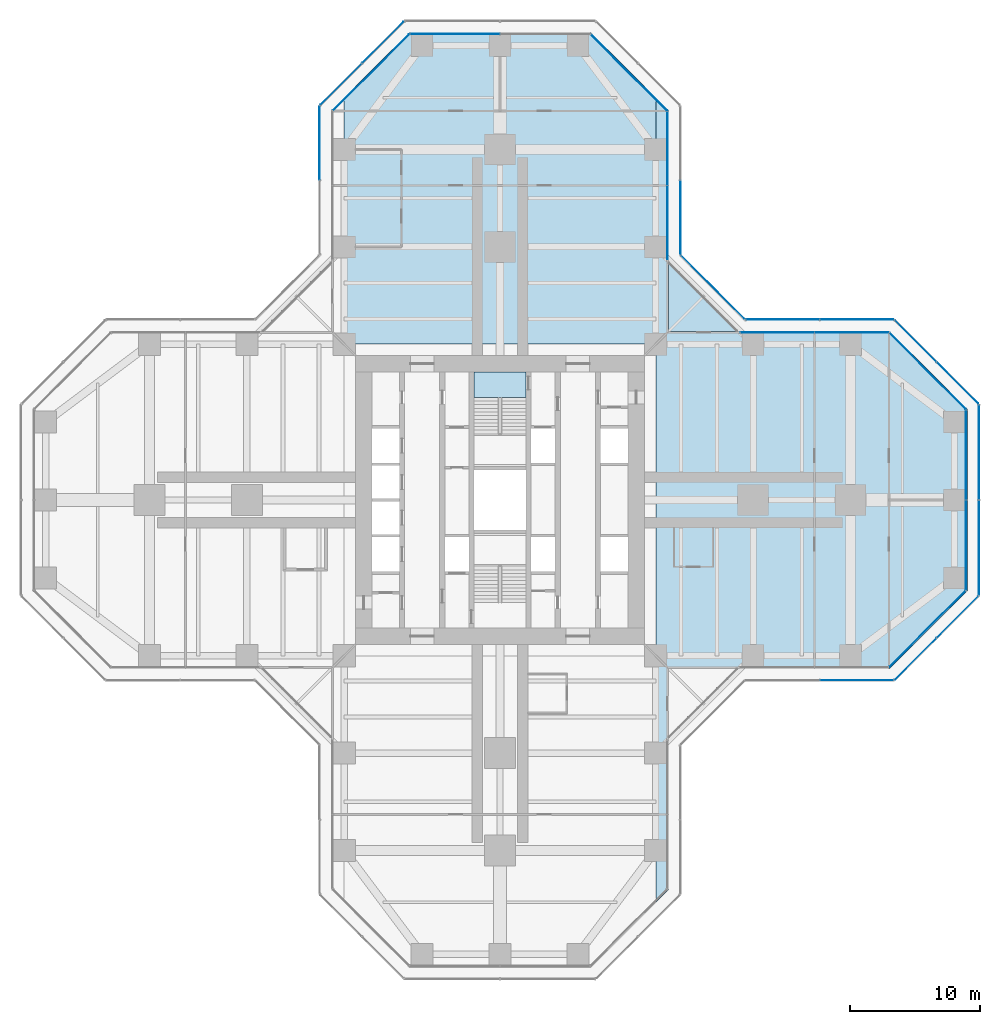
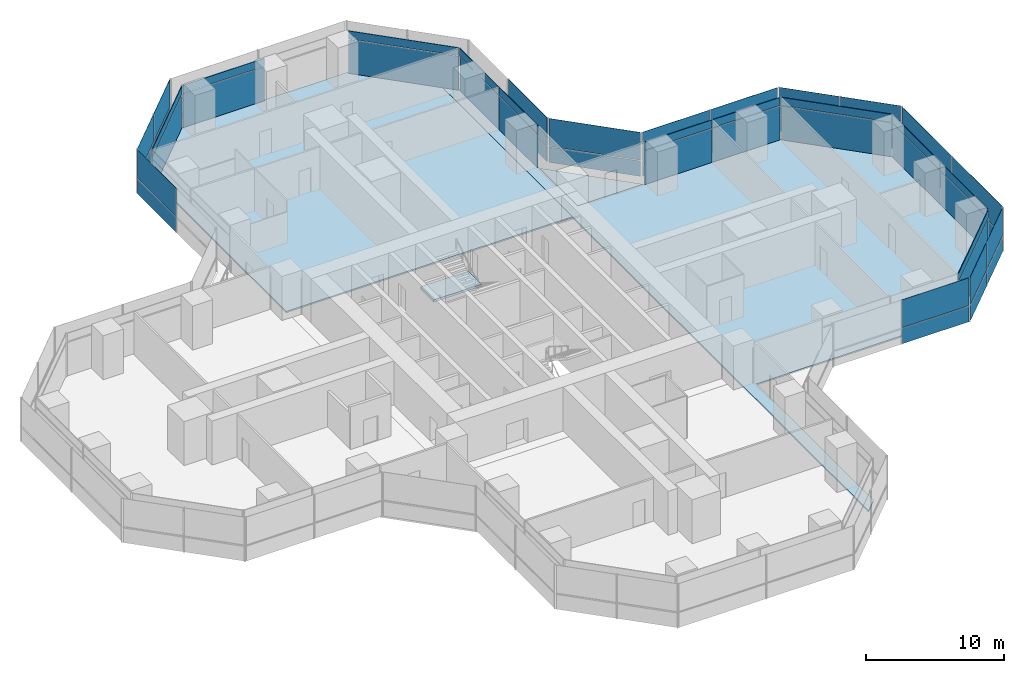
# One storey, part 16 of 22: 50 plates, 4 slabs, 18 elements without a shape of their own.
"""IFC4 building model written with IfcOpenShell, lengths in metres."""

from ifc_helpers import new_model, si_unit, direction, frame, origin, origin_2d, place, context, subcontext, project, spatial, polyline, rectangle, outline, extrude, material, layer, layer_set, type_object, element, aggregate, save


model = new_model("IFC4")

# Units and contexts
model_context = context("Model", 3, precision=1e-05, world=origin(), true_north=direction((0.0, 1.0)))
body_context = subcontext(model_context, "Body", "Model", "MODEL_VIEW")
ifc_project = project(units=[si_unit("LENGTHUNIT", "METRE"), si_unit("AREAUNIT", "SQUARE_METRE"), si_unit("VOLUMEUNIT", "CUBIC_METRE"), si_unit("PLANEANGLEUNIT", "RADIAN"), si_unit("MASSUNIT", "GRAM", prefix="KILO")], contexts=[model_context])

# Site, building, storey
site_placement = place(None, origin())
site = spatial("IfcSite", under=ifc_project, at=site_placement, CompositionType="ELEMENT")
building_placement = place(site_placement, origin())
building = spatial("IfcBuilding", under=site, at=building_placement, Name="Mizan Broadcast Tower", CompositionType="ELEMENT")
storey_placement = place(building_placement, frame((0.0, 0.0, 102.0)))
storey = spatial("IfcBuildingStorey", under=building, at=storey_placement, Name="L22", CompositionType="ELEMENT", Elevation=102.0)

# Slabs
ifc_material_1 = material(Name="Concrete C32/40", Category="concrete")
ifc_layer_1 = layer(ifc_material_1, 0.1298828125)
ifc_layer_set_1 = layer_set([ifc_layer_1], Name="Concrete C32/40")
slab_type_1 = type_object("IfcSlabType", Name="COMPOSITE DECK SLAB 130", PredefinedType="FLOOR", material=ifc_layer_set_1)
slab_1_placement = place(storey_placement, frame((0.0, 0.0, -0.1298828125)))
element("IfcSlab", 1, at=slab_1_placement, inside=storey, type_object=slab_type_1, Name="Floor slab L22 east arm", PredefinedType="FLOOR", context=body_context, shape_type="SweptSolid", body=[
    extrude(outline(polyline([(12.0, -31.0), (13.0, -30.0), (13.0, -13.0), (30.0, -13.0), (36.0, -7.0), (36.0, 7.0), (30.0, 13.0), (13.0, 13.0), (13.0, 30.0), (12.0, 31.0), (12.0, -31.0)])), origin(), (0.0, 0.0, 1.0), 0.1298828125),
])
slab_2_placement = place(storey_placement, frame((0.0, 0.0, -0.1298828125)))
element("IfcSlab", 2, at=slab_2_placement, inside=storey, type_object=slab_type_1, Name="Floor slab L22 north arm", PredefinedType="FLOOR", context=body_context, shape_type="SweptSolid", body=[
    extrude(outline(polyline([(-7.0, 36.0), (-12.0, 31.0), (-12.0, 12.0), (12.0, 12.0), (12.0, 31.0), (7.0, 36.0), (-7.0, 36.0)])), origin(), (0.0, 0.0, 1.0), 0.1298828125),
])

# Curtain wall, plate
ifc_material_2 = material(Name="Aluminium framed glazing", Category="aluminium")
curtain_wall_type_1 = type_object("IfcCurtainWallType", Name="INNER SKIN LOW ZONE", PredefinedType="USERDEFINED", material=ifc_material_2)
curtain_wall_1_placement = place(storey_placement, origin())
curtain_wall_1 = element("IfcCurtainWall", 3, at=curtain_wall_1_placement, inside=storey, type_object=curtain_wall_type_1, Name="Inner skin low zone L22 E chamfer", ObjectType="INNER SKIN LOW ZONE", PredefinedType="USERDEFINED")
ifc_material_3 = material(Name="Double glazing, clear low-e", Category="glass")
ifc_layer_2 = layer(ifc_material_3, 0.028076171875)
ifc_layer_set_2 = layer_set([ifc_layer_2], Name="Double glazing, clear low-e")
plate_type_1 = type_object("IfcPlateType", Name="INNER SKIN GLAZING UNIT", PredefinedType="CURTAIN_PANEL", material=ifc_layer_set_2)
plate_1_placement = place(storey_placement, frame((32.92919921875, -9.92919921875, 0.0), z_axis=(0.0, 0.0, 1.0), x_axis=(0.707106781187, 0.707106781187, 0.0)))
plate_1 = element("IfcPlate", 4, at=plate_1_placement, type_object=plate_type_1, Name="Inner skin low zone L22 E chamfer panel 1.1", PredefinedType="CURTAIN_PANEL", context=body_context, shape_type="SweptSolid", body=[
    extrude(rectangle(XDim=8.282470703125, YDim=0.028076171875, at=origin_2d()), origin(), (0.0, 0.0, 1.0), 3.0),
])

# Curtain wall, plates
curtain_wall_2_placement = place(storey_placement, origin())
curtain_wall_2 = element("IfcCurtainWall", 5, at=curtain_wall_2_placement, inside=storey, type_object=curtain_wall_type_1, Name="Inner skin low zone L22 E end", ObjectType="INNER SKIN LOW ZONE", PredefinedType="USERDEFINED")
plate_2_placement = place(storey_placement, frame((35.89990234375, -3.46435546875, 0.0), z_axis=(0.0, 0.0, 1.0), x_axis=(0.0, 1.0, 0.0)))
plate_2 = element("IfcPlate", 6, at=plate_2_placement, type_object=plate_type_1, Name="Inner skin low zone L22 E end panel 1.1", PredefinedType="CURTAIN_PANEL", context=body_context, shape_type="SweptSolid", body=[
    extrude(rectangle(XDim=6.86865234375, YDim=0.028076171875, at=origin_2d()), origin(), (0.0, 0.0, 1.0), 3.0),
])
plate_3_placement = place(storey_placement, frame((35.89990234375, 3.46435546875, 0.0), z_axis=(0.0, 0.0, 1.0), x_axis=(0.0, 1.0, 0.0)))
plate_3 = element("IfcPlate", 7, at=plate_3_placement, type_object=plate_type_1, Name="Inner skin low zone L22 E end panel 2.1", PredefinedType="CURTAIN_PANEL", context=body_context, shape_type="SweptSolid", body=[
    extrude(rectangle(XDim=6.86865234375, YDim=0.028076171875, at=origin_2d()), origin(), (0.0, 0.0, 1.0), 3.0),
])

# Curtain wall, plate
curtain_wall_3_placement = place(storey_placement, origin())
curtain_wall_3 = element("IfcCurtainWall", 8, at=curtain_wall_3_placement, inside=storey, type_object=curtain_wall_type_1, Name="Inner skin low zone L22 E chamfer", ObjectType="INNER SKIN LOW ZONE", PredefinedType="USERDEFINED")
plate_4_placement = place(storey_placement, frame((32.92919921875, 9.92919921875, 0.0), z_axis=(0.0, 0.0, 1.0), x_axis=(-0.707106781187, 0.707106781187, 0.0)))
plate_4 = element("IfcPlate", 9, at=plate_4_placement, type_object=plate_type_1, Name="Inner skin low zone L22 E chamfer panel 1.1", PredefinedType="CURTAIN_PANEL", context=body_context, shape_type="SweptSolid", body=[
    extrude(rectangle(XDim=8.282470703125, YDim=0.028076171875, at=origin_2d()), origin(), (0.0, 0.0, 1.0), 3.0),
])

# Curtain wall, plates
curtain_wall_4_placement = place(storey_placement, origin())
curtain_wall_4 = element("IfcCurtainWall", 10, at=curtain_wall_4_placement, inside=storey, type_object=curtain_wall_type_1, Name="Inner skin low zone L22 E side", ObjectType="INNER SKIN LOW ZONE", PredefinedType="USERDEFINED")
plate_5_placement = place(storey_placement, frame((27.078857421875, 12.89990234375, 0.0), z_axis=(0.0, 0.0, 1.0), x_axis=(-1.0, 0.0, 0.0)))
plate_5 = element("IfcPlate", 11, at=plate_5_placement, type_object=plate_type_1, Name="Inner skin low zone L22 E side panel 1.1", PredefinedType="CURTAIN_PANEL", context=body_context, shape_type="SweptSolid", body=[
    extrude(rectangle(XDim=5.639404296875, YDim=0.028076171875, at=origin_2d()), origin(), (0.0, 0.0, 1.0), 3.0),
])
plate_6_placement = place(storey_placement, frame((21.379638671875, 12.89990234375, 0.0), z_axis=(0.0, 0.0, 1.0), x_axis=(-1.0, 0.0, 0.0)))
plate_6 = element("IfcPlate", 12, at=plate_6_placement, type_object=plate_type_1, Name="Inner skin low zone L22 E side panel 2.1", PredefinedType="CURTAIN_PANEL", context=body_context, shape_type="SweptSolid", body=[
    extrude(rectangle(XDim=5.639404296875, YDim=0.028076171875, at=origin_2d()), origin(), (0.0, 0.0, 1.0), 3.0),
])

curtain_wall_5_placement = place(storey_placement, origin())
curtain_wall_5 = element("IfcCurtainWall", 13, at=curtain_wall_5_placement, inside=storey, type_object=curtain_wall_type_1, Name="Inner skin low zone L22 N side", ObjectType="INNER SKIN LOW ZONE", PredefinedType="USERDEFINED")
plate_7_placement = place(storey_placement, frame((12.89990234375, 21.379638671875, 0.0), z_axis=(0.0, 0.0, 1.0), x_axis=(0.0, 1.0, 0.0)))
plate_7 = element("IfcPlate", 14, at=plate_7_placement, type_object=plate_type_1, Name="Inner skin low zone L22 N side panel 1.1", PredefinedType="CURTAIN_PANEL", context=body_context, shape_type="SweptSolid", body=[
    extrude(rectangle(XDim=5.639404296875, YDim=0.028076171875, at=origin_2d()), origin(), (0.0, 0.0, 1.0), 3.0),
])
plate_8_placement = place(storey_placement, frame((12.89990234375, 27.078857421875, 0.0), z_axis=(0.0, 0.0, 1.0), x_axis=(0.0, 1.0, 0.0)))
plate_8 = element("IfcPlate", 15, at=plate_8_placement, type_object=plate_type_1, Name="Inner skin low zone L22 N side panel 2.1", PredefinedType="CURTAIN_PANEL", context=body_context, shape_type="SweptSolid", body=[
    extrude(rectangle(XDim=5.639404296875, YDim=0.028076171875, at=origin_2d()), origin(), (0.0, 0.0, 1.0), 3.0),
])

# Curtain wall, plate
curtain_wall_6_placement = place(storey_placement, origin())
curtain_wall_6 = element("IfcCurtainWall", 16, at=curtain_wall_6_placement, inside=storey, type_object=curtain_wall_type_1, Name="Inner skin low zone L22 N chamfer", ObjectType="INNER SKIN LOW ZONE", PredefinedType="USERDEFINED")
plate_9_placement = place(storey_placement, frame((9.92919921875, 32.92919921875, 0.0), z_axis=(0.0, 0.0, 1.0), x_axis=(-0.707106781187, 0.707106781187, 0.0)))
plate_9 = element("IfcPlate", 17, at=plate_9_placement, type_object=plate_type_1, Name="Inner skin low zone L22 N chamfer panel 1.1", PredefinedType="CURTAIN_PANEL", context=body_context, shape_type="SweptSolid", body=[
    extrude(rectangle(XDim=8.282470703125, YDim=0.028076171875, at=origin_2d()), origin(), (0.0, 0.0, 1.0), 3.0),
])

curtain_wall_7_placement = place(storey_placement, origin())
curtain_wall_7 = element("IfcCurtainWall", 18, at=curtain_wall_7_placement, inside=storey, type_object=curtain_wall_type_1, Name="Inner skin low zone L22 N end", ObjectType="INNER SKIN LOW ZONE", PredefinedType="USERDEFINED")
plate_10_placement = place(storey_placement, frame((-3.46435546875, 35.89990234375, 0.0), z_axis=(0.0, 0.0, 1.0), x_axis=(-1.0, 0.0, 0.0)))
plate_10 = element("IfcPlate", 19, at=plate_10_placement, type_object=plate_type_1, Name="Inner skin low zone L22 N end panel 2.1", PredefinedType="CURTAIN_PANEL", context=body_context, shape_type="SweptSolid", body=[
    extrude(rectangle(XDim=6.86865234375, YDim=0.028076171875, at=origin_2d()), origin(), (0.0, 0.0, 1.0), 3.0),
])

curtain_wall_8_placement = place(storey_placement, origin())
curtain_wall_8 = element("IfcCurtainWall", 20, at=curtain_wall_8_placement, inside=storey, type_object=curtain_wall_type_1, Name="Inner skin low zone L22 N chamfer", ObjectType="INNER SKIN LOW ZONE", PredefinedType="USERDEFINED")
plate_11_placement = place(storey_placement, frame((-9.92919921875, 32.92919921875, 0.0), z_axis=(0.0, 0.0, 1.0), x_axis=(-0.707106781187, -0.707106781187, 0.0)))
plate_11 = element("IfcPlate", 21, at=plate_11_placement, type_object=plate_type_1, Name="Inner skin low zone L22 N chamfer panel 1.1", PredefinedType="CURTAIN_PANEL", context=body_context, shape_type="SweptSolid", body=[
    extrude(rectangle(XDim=8.282470703125, YDim=0.028076171875, at=origin_2d()), origin(), (0.0, 0.0, 1.0), 3.0),
])

# Plate
ifc_material_4 = material(Name="Insulated aluminium spandrel panel, pale anodised", Category="aluminium")
ifc_layer_3 = layer(ifc_material_4, 0.050048828125)
ifc_layer_set_3 = layer_set([ifc_layer_3], Name="Insulated aluminium spandrel panel, pale anodised")
plate_type_2 = type_object("IfcPlateType", Name="INNER SKIN SPANDREL PANEL", PredefinedType="CURTAIN_PANEL", material=ifc_layer_set_3)
plate_12_placement = place(storey_placement, frame((32.92919921875, -9.92919921875, 3.06005859375), z_axis=(0.0, 0.0, 1.0), x_axis=(0.707106781187, 0.707106781187, 0.0)))
plate_12 = element("IfcPlate", 22, at=plate_12_placement, type_object=plate_type_2, Name="Inner skin low zone L22 E chamfer panel 1.2", PredefinedType="CURTAIN_PANEL", context=body_context, shape_type="SweptSolid", body=[
    extrude(rectangle(XDim=8.282470703125, YDim=0.050048828125, at=origin_2d()), origin(), (0.0, 0.0, 1.0), 0.7099609375),
])

aggregate(curtain_wall_1, [plate_1, plate_12])

plate_13_placement = place(storey_placement, frame((35.89990234375, -3.46435546875, 3.06005859375), z_axis=(0.0, 0.0, 1.0), x_axis=(0.0, 1.0, 0.0)))
plate_13 = element("IfcPlate", 23, at=plate_13_placement, type_object=plate_type_2, Name="Inner skin low zone L22 E end panel 1.2", PredefinedType="CURTAIN_PANEL", context=body_context, shape_type="SweptSolid", body=[
    extrude(rectangle(XDim=6.86865234375, YDim=0.050048828125, at=origin_2d()), origin(), (0.0, 0.0, 1.0), 0.7099609375),
])

plate_14_placement = place(storey_placement, frame((35.89990234375, 3.46435546875, 3.06005859375), z_axis=(0.0, 0.0, 1.0), x_axis=(0.0, 1.0, 0.0)))
plate_14 = element("IfcPlate", 24, at=plate_14_placement, type_object=plate_type_2, Name="Inner skin low zone L22 E end panel 2.2", PredefinedType="CURTAIN_PANEL", context=body_context, shape_type="SweptSolid", body=[
    extrude(rectangle(XDim=6.86865234375, YDim=0.050048828125, at=origin_2d()), origin(), (0.0, 0.0, 1.0), 0.7099609375),
])

aggregate(curtain_wall_2, [plate_2, plate_13, plate_3, plate_14])

plate_15_placement = place(storey_placement, frame((32.92919921875, 9.92919921875, 3.06005859375), z_axis=(0.0, 0.0, 1.0), x_axis=(-0.707106781187, 0.707106781187, 0.0)))
plate_15 = element("IfcPlate", 25, at=plate_15_placement, type_object=plate_type_2, Name="Inner skin low zone L22 E chamfer panel 1.2", PredefinedType="CURTAIN_PANEL", context=body_context, shape_type="SweptSolid", body=[
    extrude(rectangle(XDim=8.282470703125, YDim=0.050048828125, at=origin_2d()), origin(), (0.0, 0.0, 1.0), 0.7099609375),
])

aggregate(curtain_wall_3, [plate_4, plate_15])

plate_16_placement = place(storey_placement, frame((27.078857421875, 12.89990234375, 3.06005859375), z_axis=(0.0, 0.0, 1.0), x_axis=(-1.0, 0.0, 0.0)))
plate_16 = element("IfcPlate", 26, at=plate_16_placement, type_object=plate_type_2, Name="Inner skin low zone L22 E side panel 1.2", PredefinedType="CURTAIN_PANEL", context=body_context, shape_type="SweptSolid", body=[
    extrude(rectangle(XDim=5.639404296875, YDim=0.050048828125, at=origin_2d()), origin(), (0.0, 0.0, 1.0), 0.7099609375),
])

plate_17_placement = place(storey_placement, frame((21.379638671875, 12.89990234375, 3.06005859375), z_axis=(0.0, 0.0, 1.0), x_axis=(-1.0, 0.0, 0.0)))
plate_17 = element("IfcPlate", 27, at=plate_17_placement, type_object=plate_type_2, Name="Inner skin low zone L22 E side panel 2.2", PredefinedType="CURTAIN_PANEL", context=body_context, shape_type="SweptSolid", body=[
    extrude(rectangle(XDim=5.639404296875, YDim=0.050048828125, at=origin_2d()), origin(), (0.0, 0.0, 1.0), 0.7099609375),
])

aggregate(curtain_wall_4, [plate_5, plate_16, plate_6, plate_17])

plate_18_placement = place(storey_placement, frame((12.89990234375, 21.379638671875, 3.06005859375), z_axis=(0.0, 0.0, 1.0), x_axis=(0.0, 1.0, 0.0)))
plate_18 = element("IfcPlate", 28, at=plate_18_placement, type_object=plate_type_2, Name="Inner skin low zone L22 N side panel 1.2", PredefinedType="CURTAIN_PANEL", context=body_context, shape_type="SweptSolid", body=[
    extrude(rectangle(XDim=5.639404296875, YDim=0.050048828125, at=origin_2d()), origin(), (0.0, 0.0, 1.0), 0.7099609375),
])

plate_19_placement = place(storey_placement, frame((12.89990234375, 27.078857421875, 3.06005859375), z_axis=(0.0, 0.0, 1.0), x_axis=(0.0, 1.0, 0.0)))
plate_19 = element("IfcPlate", 29, at=plate_19_placement, type_object=plate_type_2, Name="Inner skin low zone L22 N side panel 2.2", PredefinedType="CURTAIN_PANEL", context=body_context, shape_type="SweptSolid", body=[
    extrude(rectangle(XDim=5.639404296875, YDim=0.050048828125, at=origin_2d()), origin(), (0.0, 0.0, 1.0), 0.7099609375),
])

aggregate(curtain_wall_5, [plate_7, plate_18, plate_8, plate_19])

plate_20_placement = place(storey_placement, frame((9.92919921875, 32.92919921875, 3.06005859375), z_axis=(0.0, 0.0, 1.0), x_axis=(-0.707106781187, 0.707106781187, 0.0)))
plate_20 = element("IfcPlate", 30, at=plate_20_placement, type_object=plate_type_2, Name="Inner skin low zone L22 N chamfer panel 1.2", PredefinedType="CURTAIN_PANEL", context=body_context, shape_type="SweptSolid", body=[
    extrude(rectangle(XDim=8.282470703125, YDim=0.050048828125, at=origin_2d()), origin(), (0.0, 0.0, 1.0), 0.7099609375),
])

aggregate(curtain_wall_6, [plate_9, plate_20])

plate_21_placement = place(storey_placement, frame((-3.46435546875, 35.89990234375, 3.06005859375), z_axis=(0.0, 0.0, 1.0), x_axis=(-1.0, 0.0, 0.0)))
plate_21 = element("IfcPlate", 31, at=plate_21_placement, type_object=plate_type_2, Name="Inner skin low zone L22 N end panel 2.2", PredefinedType="CURTAIN_PANEL", context=body_context, shape_type="SweptSolid", body=[
    extrude(rectangle(XDim=6.86865234375, YDim=0.050048828125, at=origin_2d()), origin(), (0.0, 0.0, 1.0), 0.7099609375),
])

aggregate(curtain_wall_7, [plate_10, plate_21])

plate_22_placement = place(storey_placement, frame((-9.92919921875, 32.92919921875, 3.06005859375), z_axis=(0.0, 0.0, 1.0), x_axis=(-0.707106781187, -0.707106781187, 0.0)))
plate_22 = element("IfcPlate", 32, at=plate_22_placement, type_object=plate_type_2, Name="Inner skin low zone L22 N chamfer panel 1.2", PredefinedType="CURTAIN_PANEL", context=body_context, shape_type="SweptSolid", body=[
    extrude(rectangle(XDim=8.282470703125, YDim=0.050048828125, at=origin_2d()), origin(), (0.0, 0.0, 1.0), 0.7099609375),
])

aggregate(curtain_wall_8, [plate_11, plate_22])

# Curtain wall, plates
ifc_material_5 = material(Name="Aluminium framed glazing", Category="aluminium")
curtain_wall_type_2 = type_object("IfcCurtainWallType", Name="OUTER SKIN", PredefinedType="USERDEFINED", material=ifc_material_5)
curtain_wall_9_placement = place(storey_placement, origin())
curtain_wall_9 = element("IfcCurtainWall", 33, at=curtain_wall_9_placement, inside=storey, type_object=curtain_wall_type_2, Name="Outer skin L22 E chamfer", ObjectType="OUTER SKIN", PredefinedType="USERDEFINED")
ifc_material_6 = material(Name="Laminated clear glass", Category="glass")
ifc_layer_4 = layer(ifc_material_6, 0.02001953125)
ifc_layer_set_4 = layer_set([ifc_layer_4], Name="Laminated clear glass")
plate_type_3 = type_object("IfcPlateType", Name="OUTER SKIN CLEAR GLASS", PredefinedType="CURTAIN_PANEL", material=ifc_layer_set_4)
plate_23_placement = place(storey_placement, frame((32.018798828125, -12.254150390625, 0.0), z_axis=(0.0, 0.0, 1.0), x_axis=(0.707106781187, 0.707106781187, 0.0)))
plate_23 = element("IfcPlate", 34, at=plate_23_placement, type_object=plate_type_3, Name="Outer skin L22 E chamfer panel 1.1", PredefinedType="CURTAIN_PANEL", context=body_context, shape_type="SweptSolid", body=[
    extrude(rectangle(XDim=4.495361328125, YDim=0.02001953125, at=origin_2d()), origin(), (0.0, 0.0, 1.0), 1.3701171875),
])
plate_24_placement = place(storey_placement, frame((32.018798828125, -12.254150390625, 1.43017578125), z_axis=(0.0, 0.0, 1.0), x_axis=(0.707106781187, 0.707106781187, 0.0)))
plate_24 = element("IfcPlate", 35, at=plate_24_placement, type_object=plate_type_3, Name="Outer skin L22 E chamfer panel 1.2", PredefinedType="CURTAIN_PANEL", context=body_context, shape_type="SweptSolid", body=[
    extrude(rectangle(XDim=4.495361328125, YDim=0.02001953125, at=origin_2d()), origin(), (0.0, 0.0, 1.0), 2.469970703125),
])

curtain_wall_10_placement = place(storey_placement, origin())
curtain_wall_10 = element("IfcCurtainWall", 36, at=curtain_wall_10_placement, inside=storey, type_object=curtain_wall_type_2, Name="Outer skin L22 E end", ObjectType="OUTER SKIN", PredefinedType="USERDEFINED")
plate_25_placement = place(storey_placement, frame((36.89990234375, -3.66650390625, 0.0), z_axis=(0.0, 0.0, 1.0), x_axis=(0.0, 1.0, 0.0)))
plate_25 = element("IfcPlate", 37, at=plate_25_placement, type_object=plate_type_3, Name="Outer skin L22 E end panel 1.1", PredefinedType="CURTAIN_PANEL", context=body_context, shape_type="SweptSolid", body=[
    extrude(rectangle(XDim=7.252685546875, YDim=0.02001953125, at=origin_2d()), origin(), (0.0, 0.0, 1.0), 1.3701171875),
])
plate_26_placement = place(storey_placement, frame((36.89990234375, -3.66650390625, 1.43017578125), z_axis=(0.0, 0.0, 1.0), x_axis=(0.0, 1.0, 0.0)))
plate_26 = element("IfcPlate", 38, at=plate_26_placement, type_object=plate_type_3, Name="Outer skin L22 E end panel 1.2", PredefinedType="CURTAIN_PANEL", context=body_context, shape_type="SweptSolid", body=[
    extrude(rectangle(XDim=7.252685546875, YDim=0.02001953125, at=origin_2d()), origin(), (0.0, 0.0, 1.0), 2.469970703125),
])

curtain_wall_11_placement = place(storey_placement, origin())
curtain_wall_11 = element("IfcCurtainWall", 39, at=curtain_wall_11_placement, inside=storey, type_object=curtain_wall_type_2, Name="Outer skin L22 E chamfer", ObjectType="OUTER SKIN", PredefinedType="USERDEFINED")
plate_27_placement = place(storey_placement, frame((35.254150390625, 9.018798828125, 0.0), z_axis=(0.0, 0.0, 1.0), x_axis=(-0.707106781187, 0.707106781187, 0.0)))
plate_27 = element("IfcPlate", 40, at=plate_27_placement, type_object=plate_type_3, Name="Outer skin L22 E chamfer panel 1.1", PredefinedType="CURTAIN_PANEL", context=body_context, shape_type="SweptSolid", body=[
    extrude(rectangle(XDim=4.495361328125, YDim=0.02001953125, at=origin_2d()), origin(), (0.0, 0.0, 1.0), 1.3701171875),
])
plate_28_placement = place(storey_placement, frame((35.254150390625, 9.018798828125, 1.43017578125), z_axis=(0.0, 0.0, 1.0), x_axis=(-0.707106781187, 0.707106781187, 0.0)))
plate_28 = element("IfcPlate", 41, at=plate_28_placement, type_object=plate_type_3, Name="Outer skin L22 E chamfer panel 1.2", PredefinedType="CURTAIN_PANEL", context=body_context, shape_type="SweptSolid", body=[
    extrude(rectangle(XDim=4.495361328125, YDim=0.02001953125, at=origin_2d()), origin(), (0.0, 0.0, 1.0), 2.469970703125),
])

curtain_wall_12_placement = place(storey_placement, origin())
curtain_wall_12 = element("IfcCurtainWall", 42, at=curtain_wall_12_placement, inside=storey, type_object=curtain_wall_type_2, Name="Outer skin L22 E side", ObjectType="OUTER SKIN", PredefinedType="USERDEFINED")
plate_29_placement = place(storey_placement, frame((27.477783203125, 13.89990234375, 0.0), z_axis=(0.0, 0.0, 1.0), x_axis=(-1.0, 0.0, 0.0)))
plate_29 = element("IfcPlate", 43, at=plate_29_placement, type_object=plate_type_3, Name="Outer skin L22 E side panel 1.1", PredefinedType="CURTAIN_PANEL", context=body_context, shape_type="SweptSolid", body=[
    extrude(rectangle(XDim=5.6298828125, YDim=0.02001953125, at=origin_2d()), origin(), (0.0, 0.0, 1.0), 1.3701171875),
])
plate_30_placement = place(storey_placement, frame((27.477783203125, 13.89990234375, 1.43017578125), z_axis=(0.0, 0.0, 1.0), x_axis=(-1.0, 0.0, 0.0)))
plate_30 = element("IfcPlate", 44, at=plate_30_placement, type_object=plate_type_3, Name="Outer skin L22 E side panel 1.2", PredefinedType="CURTAIN_PANEL", context=body_context, shape_type="SweptSolid", body=[
    extrude(rectangle(XDim=5.6298828125, YDim=0.02001953125, at=origin_2d()), origin(), (0.0, 0.0, 1.0), 2.469970703125),
])
plate_31_placement = place(storey_placement, frame((21.767822265625, 13.89990234375, 0.0), z_axis=(0.0, 0.0, 1.0), x_axis=(-1.0, 0.0, 0.0)))
plate_31 = element("IfcPlate", 45, at=plate_31_placement, type_object=plate_type_3, Name="Outer skin L22 E side panel 2.1", PredefinedType="CURTAIN_PANEL", context=body_context, shape_type="SweptSolid", body=[
    extrude(rectangle(XDim=5.6298828125, YDim=0.02001953125, at=origin_2d()), origin(), (0.0, 0.0, 1.0), 1.3701171875),
])
plate_32_placement = place(storey_placement, frame((21.767822265625, 13.89990234375, 1.43017578125), z_axis=(0.0, 0.0, 1.0), x_axis=(-1.0, 0.0, 0.0)))
plate_32 = element("IfcPlate", 46, at=plate_32_placement, type_object=plate_type_3, Name="Outer skin L22 E side panel 2.2", PredefinedType="CURTAIN_PANEL", context=body_context, shape_type="SweptSolid", body=[
    extrude(rectangle(XDim=5.6298828125, YDim=0.02001953125, at=origin_2d()), origin(), (0.0, 0.0, 1.0), 2.469970703125),
])
aggregate(curtain_wall_12, [plate_29, plate_30, plate_31, plate_32])

curtain_wall_13_placement = place(storey_placement, origin())
curtain_wall_13 = element("IfcCurtainWall", 47, at=curtain_wall_13_placement, inside=storey, type_object=curtain_wall_type_2, Name="Outer skin L22 E chamfer", ObjectType="OUTER SKIN", PredefinedType="USERDEFINED")
plate_33_placement = place(storey_placement, frame((16.386474609375, 16.386474609375, 0.0), z_axis=(0.0, 0.0, 1.0), x_axis=(-0.707106781187, 0.707106781187, 0.0)))
plate_33 = element("IfcPlate", 48, at=plate_33_placement, type_object=plate_type_3, Name="Outer skin L22 E chamfer panel 1.1", PredefinedType="CURTAIN_PANEL", context=body_context, shape_type="SweptSolid", body=[
    extrude(rectangle(XDim=6.87255859375, YDim=0.02001953125, at=origin_2d()), origin(), (0.0, 0.0, 1.0), 1.3701171875),
])
plate_34_placement = place(storey_placement, frame((16.386474609375, 16.386474609375, 1.43017578125), z_axis=(0.0, 0.0, 1.0), x_axis=(-0.707106781187, 0.707106781187, 0.0)))
plate_34 = element("IfcPlate", 49, at=plate_34_placement, type_object=plate_type_3, Name="Outer skin L22 E chamfer panel 1.2", PredefinedType="CURTAIN_PANEL", context=body_context, shape_type="SweptSolid", body=[
    extrude(rectangle(XDim=6.87255859375, YDim=0.02001953125, at=origin_2d()), origin(), (0.0, 0.0, 1.0), 2.469970703125),
])
aggregate(curtain_wall_13, [plate_33, plate_34])

curtain_wall_14_placement = place(storey_placement, origin())
curtain_wall_14 = element("IfcCurtainWall", 50, at=curtain_wall_14_placement, inside=storey, type_object=curtain_wall_type_2, Name="Outer skin L22 N side", ObjectType="OUTER SKIN", PredefinedType="USERDEFINED")
plate_35_placement = place(storey_placement, frame((13.89990234375, 21.767822265625, 0.0), z_axis=(0.0, 0.0, 1.0), x_axis=(0.0, 1.0, 0.0)))
plate_35 = element("IfcPlate", 51, at=plate_35_placement, type_object=plate_type_3, Name="Outer skin L22 N side panel 1.1", PredefinedType="CURTAIN_PANEL", context=body_context, shape_type="SweptSolid", body=[
    extrude(rectangle(XDim=5.6298828125, YDim=0.02001953125, at=origin_2d()), origin(), (0.0, 0.0, 1.0), 1.3701171875),
])
plate_36_placement = place(storey_placement, frame((13.89990234375, 21.767822265625, 1.43017578125), z_axis=(0.0, 0.0, 1.0), x_axis=(0.0, 1.0, 0.0)))
plate_36 = element("IfcPlate", 52, at=plate_36_placement, type_object=plate_type_3, Name="Outer skin L22 N side panel 1.2", PredefinedType="CURTAIN_PANEL", context=body_context, shape_type="SweptSolid", body=[
    extrude(rectangle(XDim=5.6298828125, YDim=0.02001953125, at=origin_2d()), origin(), (0.0, 0.0, 1.0), 2.469970703125),
])
aggregate(curtain_wall_14, [plate_35, plate_36])

curtain_wall_15_placement = place(storey_placement, origin())
curtain_wall_15 = element("IfcCurtainWall", 53, at=curtain_wall_15_placement, inside=storey, type_object=curtain_wall_type_2, Name="Outer skin L22 N chamfer", ObjectType="OUTER SKIN", PredefinedType="USERDEFINED")
plate_37_placement = place(storey_placement, frame((-9.018798828125, 35.254150390625, 0.0), z_axis=(0.0, 0.0, 1.0), x_axis=(-0.707106781187, -0.707106781187, 0.0)))
plate_37 = element("IfcPlate", 54, at=plate_37_placement, type_object=plate_type_3, Name="Outer skin L22 N chamfer panel 1.1", PredefinedType="CURTAIN_PANEL", context=body_context, shape_type="SweptSolid", body=[
    extrude(rectangle(XDim=4.495361328125, YDim=0.02001953125, at=origin_2d()), origin(), (0.0, 0.0, 1.0), 1.3701171875),
])
plate_38_placement = place(storey_placement, frame((-9.018798828125, 35.254150390625, 1.43017578125), z_axis=(0.0, 0.0, 1.0), x_axis=(-0.707106781187, -0.707106781187, 0.0)))
plate_38 = element("IfcPlate", 55, at=plate_38_placement, type_object=plate_type_3, Name="Outer skin L22 N chamfer panel 1.2", PredefinedType="CURTAIN_PANEL", context=body_context, shape_type="SweptSolid", body=[
    extrude(rectangle(XDim=4.495361328125, YDim=0.02001953125, at=origin_2d()), origin(), (0.0, 0.0, 1.0), 2.469970703125),
])

curtain_wall_16_placement = place(storey_placement, origin())
curtain_wall_16 = element("IfcCurtainWall", 56, at=curtain_wall_16_placement, inside=storey, type_object=curtain_wall_type_2, Name="Outer skin L22 N side", ObjectType="OUTER SKIN", PredefinedType="USERDEFINED")
plate_39_placement = place(storey_placement, frame((-13.89990234375, 27.477783203125, 0.0), z_axis=(0.0, 0.0, 1.0), x_axis=(0.0, -1.0, 0.0)))
plate_39 = element("IfcPlate", 57, at=plate_39_placement, type_object=plate_type_3, Name="Outer skin L22 N side panel 1.1", PredefinedType="CURTAIN_PANEL", context=body_context, shape_type="SweptSolid", body=[
    extrude(rectangle(XDim=5.6298828125, YDim=0.02001953125, at=origin_2d()), origin(), (0.0, 0.0, 1.0), 1.3701171875),
])
plate_40_placement = place(storey_placement, frame((-13.89990234375, 27.477783203125, 1.43017578125), z_axis=(0.0, 0.0, 1.0), x_axis=(0.0, -1.0, 0.0)))
plate_40 = element("IfcPlate", 58, at=plate_40_placement, type_object=plate_type_3, Name="Outer skin L22 N side panel 1.2", PredefinedType="CURTAIN_PANEL", context=body_context, shape_type="SweptSolid", body=[
    extrude(rectangle(XDim=5.6298828125, YDim=0.02001953125, at=origin_2d()), origin(), (0.0, 0.0, 1.0), 2.469970703125),
])
aggregate(curtain_wall_16, [plate_39, plate_40])

# Plate
ifc_material_7 = material(Name="Perforated aluminium, pale anodised", Category="aluminium")
ifc_layer_5 = layer(ifc_material_7, 0.011962890625)
ifc_layer_set_5 = layer_set([ifc_layer_5], Name="Perforated aluminium, pale anodised")
plate_type_4 = type_object("IfcPlateType", Name="OUTER SKIN PERFORATED SCREEN", PredefinedType="USERDEFINED", material=ifc_layer_set_5)
plate_41_placement = place(storey_placement, frame((35.254150390625, -9.018798828125, 0.0), z_axis=(0.0, 0.0, 1.0), x_axis=(0.707106781187, 0.707106781187, 0.0)))
plate_41 = element("IfcPlate", 59, at=plate_41_placement, type_object=plate_type_4, Name="Outer skin L22 E chamfer panel 2.1", ObjectType="SCREEN", PredefinedType="USERDEFINED", context=body_context, shape_type="SweptSolid", body=[
    extrude(rectangle(XDim=4.495361328125, YDim=0.011962890625, at=origin_2d()), origin(), (0.0, 0.0, 1.0), 1.3701171875),
])

plate_42_placement = place(storey_placement, frame((35.254150390625, -9.018798828125, 1.43017578125), z_axis=(0.0, 0.0, 1.0), x_axis=(0.707106781187, 0.707106781187, 0.0)))
plate_42 = element("IfcPlate", 60, at=plate_42_placement, type_object=plate_type_4, Name="Outer skin L22 E chamfer panel 2.2", ObjectType="SCREEN", PredefinedType="USERDEFINED", context=body_context, shape_type="SweptSolid", body=[
    extrude(rectangle(XDim=4.495361328125, YDim=0.011962890625, at=origin_2d()), origin(), (0.0, 0.0, 1.0), 2.469970703125),
])

aggregate(curtain_wall_9, [plate_23, plate_24, plate_41, plate_42])

plate_43_placement = place(storey_placement, frame((36.89990234375, 3.66650390625, 0.0), z_axis=(0.0, 0.0, 1.0), x_axis=(0.0, 1.0, 0.0)))
plate_43 = element("IfcPlate", 61, at=plate_43_placement, type_object=plate_type_4, Name="Outer skin L22 E end panel 2.1", ObjectType="SCREEN", PredefinedType="USERDEFINED", context=body_context, shape_type="SweptSolid", body=[
    extrude(rectangle(XDim=7.252685546875, YDim=0.011962890625, at=origin_2d()), origin(), (0.0, 0.0, 1.0), 1.3701171875),
])

plate_44_placement = place(storey_placement, frame((36.89990234375, 3.66650390625, 1.43017578125), z_axis=(0.0, 0.0, 1.0), x_axis=(0.0, 1.0, 0.0)))
plate_44 = element("IfcPlate", 62, at=plate_44_placement, type_object=plate_type_4, Name="Outer skin L22 E end panel 2.2", ObjectType="SCREEN", PredefinedType="USERDEFINED", context=body_context, shape_type="SweptSolid", body=[
    extrude(rectangle(XDim=7.252685546875, YDim=0.011962890625, at=origin_2d()), origin(), (0.0, 0.0, 1.0), 2.469970703125),
])

aggregate(curtain_wall_10, [plate_25, plate_26, plate_43, plate_44])

plate_45_placement = place(storey_placement, frame((32.018798828125, 12.254150390625, 0.0), z_axis=(0.0, 0.0, 1.0), x_axis=(-0.707106781187, 0.707106781187, 0.0)))
plate_45 = element("IfcPlate", 63, at=plate_45_placement, type_object=plate_type_4, Name="Outer skin L22 E chamfer panel 2.1", ObjectType="SCREEN", PredefinedType="USERDEFINED", context=body_context, shape_type="SweptSolid", body=[
    extrude(rectangle(XDim=4.495361328125, YDim=0.011962890625, at=origin_2d()), origin(), (0.0, 0.0, 1.0), 1.3701171875),
])

plate_46_placement = place(storey_placement, frame((32.018798828125, 12.254150390625, 1.43017578125), z_axis=(0.0, 0.0, 1.0), x_axis=(-0.707106781187, 0.707106781187, 0.0)))
plate_46 = element("IfcPlate", 64, at=plate_46_placement, type_object=plate_type_4, Name="Outer skin L22 E chamfer panel 2.2", ObjectType="SCREEN", PredefinedType="USERDEFINED", context=body_context, shape_type="SweptSolid", body=[
    extrude(rectangle(XDim=4.495361328125, YDim=0.011962890625, at=origin_2d()), origin(), (0.0, 0.0, 1.0), 2.469970703125),
])

aggregate(curtain_wall_11, [plate_27, plate_28, plate_45, plate_46])

plate_47_placement = place(storey_placement, frame((-12.254150390625, 32.018798828125, 0.0), z_axis=(0.0, 0.0, 1.0), x_axis=(-0.707106781187, -0.707106781187, 0.0)))
plate_47 = element("IfcPlate", 65, at=plate_47_placement, type_object=plate_type_4, Name="Outer skin L22 N chamfer panel 2.1", ObjectType="SCREEN", PredefinedType="USERDEFINED", context=body_context, shape_type="SweptSolid", body=[
    extrude(rectangle(XDim=4.495361328125, YDim=0.011962890625, at=origin_2d()), origin(), (0.0, 0.0, 1.0), 1.3701171875),
])

plate_48_placement = place(storey_placement, frame((-12.254150390625, 32.018798828125, 1.43017578125), z_axis=(0.0, 0.0, 1.0), x_axis=(-0.707106781187, -0.707106781187, 0.0)))
plate_48 = element("IfcPlate", 66, at=plate_48_placement, type_object=plate_type_4, Name="Outer skin L22 N chamfer panel 2.2", ObjectType="SCREEN", PredefinedType="USERDEFINED", context=body_context, shape_type="SweptSolid", body=[
    extrude(rectangle(XDim=4.495361328125, YDim=0.011962890625, at=origin_2d()), origin(), (0.0, 0.0, 1.0), 2.469970703125),
])

aggregate(curtain_wall_15, [plate_37, plate_38, plate_47, plate_48])

# Curtain wall, plates
curtain_wall_17_placement = place(storey_placement, origin())
curtain_wall_17 = element("IfcCurtainWall", 67, at=curtain_wall_17_placement, inside=storey, type_object=curtain_wall_type_2, Name="Outer skin L22 E side", ObjectType="OUTER SKIN", PredefinedType="USERDEFINED")
plate_49_placement = place(storey_placement, frame((27.477783203125, -13.89990234375, 0.0), z_axis=(0.0, 0.0, 1.0), x_axis=(1.0, 0.0, 0.0)))
plate_49 = element("IfcPlate", 68, at=plate_49_placement, type_object=plate_type_4, Name="Outer skin L22 E side panel 2.1", ObjectType="SCREEN", PredefinedType="USERDEFINED", context=body_context, shape_type="SweptSolid", body=[
    extrude(rectangle(XDim=5.6298828125, YDim=0.011962890625, at=origin_2d()), origin(), (0.0, 0.0, 1.0), 1.3701171875),
])
plate_50_placement = place(storey_placement, frame((27.477783203125, -13.89990234375, 1.43017578125), z_axis=(0.0, 0.0, 1.0), x_axis=(1.0, 0.0, 0.0)))
plate_50 = element("IfcPlate", 69, at=plate_50_placement, type_object=plate_type_4, Name="Outer skin L22 E side panel 2.2", ObjectType="SCREEN", PredefinedType="USERDEFINED", context=body_context, shape_type="SweptSolid", body=[
    extrude(rectangle(XDim=5.6298828125, YDim=0.011962890625, at=origin_2d()), origin(), (0.0, 0.0, 1.0), 2.469970703125),
])
aggregate(curtain_wall_17, [plate_49, plate_50])

# Stair, slab
ifc_material_8 = material(Name="Concrete C40/50", Category="concrete")
stair_type = type_object("IfcStairType", Name="EXIT STAIR", PredefinedType="HALF_TURN_STAIR", material=ifc_material_8)
stair_placement = place(storey_placement, origin())
stair = element("IfcStair", 70, at=stair_placement, inside=storey, type_object=stair_type, Name="Stair B L22", PredefinedType="HALF_TURN_STAIR")
ifc_material_9 = material(Name="Concrete C40/50", Category="concrete")
ifc_layer_6 = layer(ifc_material_9, 0.199951171875)
ifc_layer_set_6 = layer_set([ifc_layer_6], Name="Concrete C40/50")
slab_type_2 = type_object("IfcSlabType", Name="STAIR LANDING 200", PredefinedType="LANDING", material=ifc_layer_set_6)
slab_3_placement = place(storey_placement, frame((0.0, 0.0, -0.199951171875)))
slab_3 = element("IfcSlab", 71, at=slab_3_placement, type_object=slab_type_2, Name="B landing 1", PredefinedType="LANDING", context=body_context, shape_type="SweptSolid", body=[
    extrude(outline(polyline([(2.0, 9.85009765625), (2.0, 7.89990234375), (-2.0, 7.89990234375), (-2.0, 9.85009765625), (2.0, 9.85009765625)])), origin(), (0.0, 0.0, 1.0), 0.199951171875),
])
aggregate(stair, [slab_3])

# Slab
ifc_material_10 = material(Name="Concrete C32/40", Category="concrete")
ifc_layer_7 = layer(ifc_material_10, 0.1298828125)
ifc_layer_set_7 = layer_set([ifc_layer_7], Name="Concrete C32/40")
slab_type_3 = type_object("IfcSlabType", Name="WINTER GARDEN SLAB 130", PredefinedType="FLOOR", material=ifc_layer_set_7)
slab_4_placement = place(storey_placement, frame((0.0, 0.0, -0.1298828125)))
element("IfcSlab", 72, at=slab_4_placement, inside=storey, type_object=slab_type_3, Name="Winter garden slab L22 E", PredefinedType="FLOOR", context=body_context, shape_type="SweptSolid", body=[
    extrude(outline(polyline([(13.0, 13.0), (18.5, 13.0), (13.0, 18.5), (13.0, 13.0)])), origin(), (0.0, 0.0, 1.0), 0.1298828125),
])

save(model, "model.ifc")
